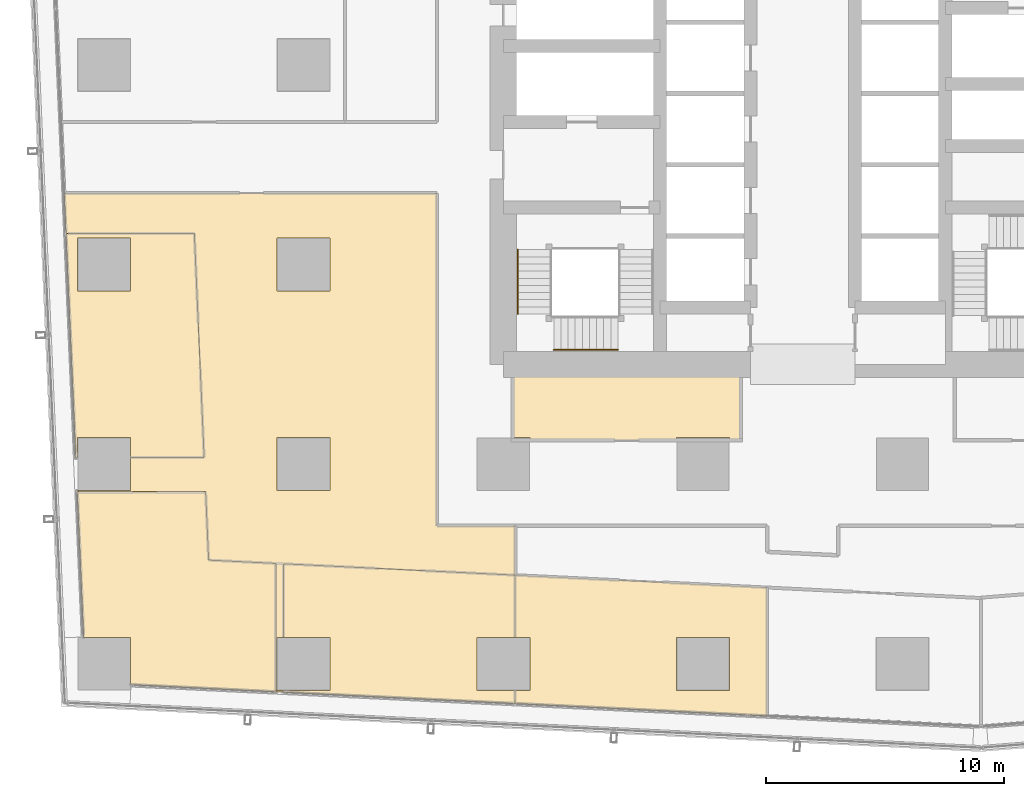
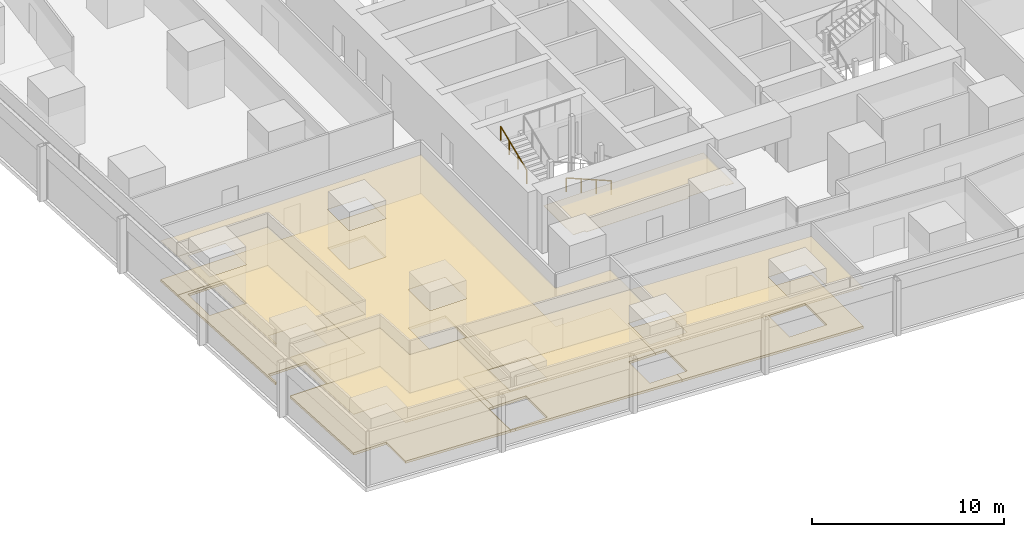
# One storey, part 36 of 44: 11 coverings, 2 railings.
"""IFC4 building model written with IfcOpenShell, lengths in metres."""

from ifc_helpers import new_model, si_unit, direction, frame, origin, origin_2d, place, context, subcontext, project, spatial, polyline, circle, outline, extrude, material, layer, layer_set, type_object, element, save


model = new_model("IFC4")

# Units and contexts
model_context = context("Model", 3, precision=1e-05, world=origin(), true_north=direction((0.0, 1.0)))
body_context = subcontext(model_context, "Body", "Model", "MODEL_VIEW")
ifc_project = project(units=[si_unit("LENGTHUNIT", "METRE"), si_unit("AREAUNIT", "SQUARE_METRE"), si_unit("VOLUMEUNIT", "CUBIC_METRE"), si_unit("PLANEANGLEUNIT", "RADIAN"), si_unit("MASSUNIT", "GRAM", prefix="KILO")], contexts=[model_context])

# Site, building, storey
site_placement = place(None, origin())
site = spatial("IfcSite", under=ifc_project, at=site_placement, CompositionType="ELEMENT")
building_placement = place(site_placement, origin())
building = spatial("IfcBuilding", under=site, at=building_placement, Name="Rekha Terrace Tower", CompositionType="ELEMENT")
storey_placement = place(building_placement, frame((0.0, 0.0, 66.64990234375)))
storey = spatial("IfcBuildingStorey", under=building, at=storey_placement, Name="L16", CompositionType="ELEMENT", Elevation=66.64990234375)

# Coverings
ifc_material_1 = material(Name="Mineral fibre tile in exposed grid", Category="finish")
ifc_layer_1 = layer(ifc_material_1, 0.02001953125)
ifc_layer_set_1 = layer_set([ifc_layer_1], Name="Mineral fibre tile in exposed grid")
covering_type_1 = type_object("IfcCoveringType", Name="CL1 600x1200 office grid ceiling", PredefinedType="CEILING", material=ifc_layer_set_1)
covering_1_placement = place(storey_placement, frame((0.0, 0.0, 2.580078125)))
element("IfcCovering", 1, at=covering_1_placement, inside=storey, type_object=covering_type_1, Name="Ceiling L16-06", PredefinedType="CEILING", context=body_context, shape_type="SweptSolid", body=[
    extrude(outline(polyline([(36.298095703125, 6.202880859375), (36.298095703125, 11.60888671875), (25.697021484375, 12.1298828125), (25.697021484375, 9.514892578125), (26.31494140625, 9.514892578125), (26.31494140625, 7.284912109375), (25.697021484375, 7.284912109375), (25.697021484375, 6.722900390625), (36.298095703125, 6.202880859375)]), holes=[polyline([(34.715087890625, 7.284912109375), (32.485107421875, 7.284912109375), (32.485107421875, 9.514892578125), (34.715087890625, 9.514892578125), (34.715087890625, 7.284912109375)])]), origin(), (0.0, 0.0, 1.0), 0.02001953125),
])
covering_2_placement = place(storey_placement, frame((0.0, 0.0, 2.580078125)))
element("IfcCovering", 2, at=covering_2_placement, inside=storey, type_object=covering_type_1, Name="Ceiling L16-20", PredefinedType="CEILING", context=body_context, shape_type="SweptSolid", body=[
    extrude(outline(polyline([(9.514892578125, 17.080078125), (12.60791015625, 17.080078125), (12.196044921875, 26.511962890625), (6.791015625, 26.511962890625), (7.202880859375, 17.080078125), (7.284912109375, 17.080078125), (7.284912109375, 17.9150390625), (9.514892578125, 17.9150390625), (9.514892578125, 17.080078125)]), holes=[polyline([(9.514892578125, 24.0849609375), (7.284912109375, 24.0849609375), (7.284912109375, 26.31494140625), (9.514892578125, 26.31494140625), (9.514892578125, 24.0849609375)])]), origin(), (0.0, 0.0, 1.0), 0.02001953125),
])
covering_3_placement = place(storey_placement, frame((0.0, 0.0, 2.580078125)))
element("IfcCovering", 3, at=covering_3_placement, inside=storey, type_object=covering_type_1, Name="Ceiling L16-21", PredefinedType="CEILING", context=body_context, shape_type="SweptSolid", body=[
    extrude(outline(polyline([(12.797119140625, 12.762939453125), (12.6708984375, 15.64306640625), (7.26611328125, 15.64306640625), (7.533935546875, 9.514892578125), (9.514892578125, 9.514892578125), (9.514892578125, 7.51806640625), (15.64208984375, 7.217041015625), (15.64208984375, 12.623046875), (12.797119140625, 12.762939453125)])), origin(), (0.0, 0.0, 1.0), 0.02001953125),
])
covering_4_placement = place(storey_placement, frame((0.0, 0.0, 2.580078125)))
element("IfcCovering", 4, at=covering_4_placement, inside=storey, type_object=covering_type_1, Name="Ceiling L16-22", PredefinedType="CEILING", context=body_context, shape_type="SweptSolid", body=[
    extrude(outline(polyline([(25.696044921875, 9.514892578125), (25.696044921875, 12.1298828125), (15.94091796875, 12.60888671875), (15.94091796875, 9.514892578125), (17.9150390625, 9.514892578125), (17.9150390625, 7.284912109375), (15.94091796875, 7.284912109375), (15.94091796875, 7.201904296875), (25.696044921875, 6.722900390625), (25.696044921875, 7.284912109375), (24.0849609375, 7.284912109375), (24.0849609375, 9.514892578125), (25.696044921875, 9.514892578125)])), origin(), (0.0, 0.0, 1.0), 0.02001953125),
])
covering_5_placement = place(storey_placement, frame((0.0, 0.0, 2.580078125)))
element("IfcCovering", 5, at=covering_5_placement, inside=storey, type_object=covering_type_1, Name="Ceiling L16-O4", PredefinedType="CEILING", context=body_context, shape_type="SweptSolid", body=[
    extrude(outline(polyline([(9.514892578125, 15.68505859375), (7.263916015625, 15.68505859375), (7.26611328125, 15.64306640625), (12.6708984375, 15.64306640625), (12.797119140625, 12.762939453125), (15.64208984375, 12.623046875), (15.64208984375, 7.217041015625), (15.94091796875, 7.201904296875), (15.94091796875, 7.284912109375), (15.68505859375, 7.284912109375), (15.68505859375, 9.514892578125), (15.94091796875, 9.514892578125), (15.94091796875, 12.60888671875), (25.696044921875, 12.1298828125), (25.696044921875, 14.199951171875), (22.39990234375, 14.199951171875), (22.39990234375, 28.199951171875), (6.717041015625, 28.199951171875), (6.791015625, 26.511962890625), (12.196044921875, 26.511962890625), (12.60791015625, 17.080078125), (9.514892578125, 17.080078125), (9.514892578125, 15.68505859375)]), holes=[polyline([(17.9150390625, 15.68505859375), (15.68505859375, 15.68505859375), (15.68505859375, 17.9150390625), (17.9150390625, 17.9150390625), (17.9150390625, 15.68505859375)]), polyline([(17.9150390625, 24.0849609375), (15.68505859375, 24.0849609375), (15.68505859375, 26.31494140625), (17.9150390625, 26.31494140625), (17.9150390625, 24.0849609375)])]), origin(), (0.0, 0.0, 1.0), 0.02001953125),
])
ifc_material_2 = material(Name="Fibre cement board", Category="finish")
ifc_layer_2 = layer(ifc_material_2, 0.014892578125)
ifc_layer_set_2 = layer_set([ifc_layer_2], Name="Fibre cement board")
covering_type_2 = type_object("IfcCoveringType", Name="CL2 moisture-resistant board ceiling", PredefinedType="CEILING", material=ifc_layer_set_2)
covering_6_placement = place(storey_placement, frame((0.0, 0.0, 2.585205078125)))
element("IfcCovering", 6, at=covering_6_placement, inside=storey, type_object=covering_type_2, Name="Ceiling L16-WCM", PredefinedType="CEILING", context=body_context, shape_type="SweptSolid", body=[
    extrude(outline(polyline([(35.199951171875, 21.0), (25.60009765625, 21.0), (25.60009765625, 17.9150390625), (26.31494140625, 17.9150390625), (26.31494140625, 17.800048828125), (32.485107421875, 17.800048828125), (32.485107421875, 17.9150390625), (34.715087890625, 17.9150390625), (34.715087890625, 17.800048828125), (35.199951171875, 17.800048828125), (35.199951171875, 21.0)])), origin(), (0.0, 0.0, 1.0), 0.014892578125),
])

# Railings
ifc_material_3 = material(Name="Stainless steel tube", Category="steel")
railing_type = type_object("IfcRailingType", Name="HR1 900 stair handrail", PredefinedType="HANDRAIL", material=ifc_material_3)
railing_1_placement = place(storey_placement, frame((30.02490234375, 21.610107421875, 1.375)))
element("IfcRailing", 7, at=railing_1_placement, inside=storey, type_object=railing_type, Name="Handrail ST1 L16 flight 2", PredefinedType="HANDRAIL", context=body_context, shape_type="SweptSolid", body=[
    extrude(circle(Radius=0.02392578125, at=origin_2d()), frame((0.0, 0.0, 0.8759765625), z_axis=(-0.923074453586, 0.0, 0.384621311341), x_axis=(0.0, -1.0, 0.0)), (0.0, 0.0, 1.0), 2.925048828125),
    extrude(circle(Radius=0.02099609375, at=origin_2d()), origin(), (0.0, 0.0, 1.0), 0.851806640625),
    extrude(circle(Radius=0.02099609375, at=origin_2d()), frame((-0.89990234375, 0.0, 0.375)), (0.0, 0.0, 1.0), 0.851806640625),
    extrude(circle(Radius=0.02099609375, at=origin_2d()), frame((-1.800048828125, 0.0, 0.75)), (0.0, 0.0, 1.0), 0.851806640625),
    extrude(circle(Radius=0.02099609375, at=origin_2d()), frame((-2.699951171875, 0.0, 1.125)), (0.0, 0.0, 1.0), 0.851806640625),
])
railing_2_placement = place(storey_placement, frame((25.81005859375, 23.125, 2.625)))
element("IfcRailing", 8, at=railing_2_placement, inside=storey, type_object=railing_type, Name="Handrail ST1 L16 flight 3", PredefinedType="HANDRAIL", context=body_context, shape_type="SweptSolid", body=[
    extrude(circle(Radius=0.02392578125, at=origin_2d()), frame((0.0, 0.0, 0.8759765625), z_axis=(0.0, 0.923074453586, 0.384621311341), x_axis=(-1.0, 0.0, 0.0)), (0.0, 0.0, 1.0), 2.925048828125),
    extrude(circle(Radius=0.02099609375, at=origin_2d()), origin(), (0.0, 0.0, 1.0), 0.851806640625),
    extrude(circle(Radius=0.02099609375, at=origin_2d()), frame((0.0, 0.89990234375, 0.375)), (0.0, 0.0, 1.0), 0.851806640625),
    extrude(circle(Radius=0.02099609375, at=origin_2d()), frame((0.0, 1.800048828125, 0.75)), (0.0, 0.0, 1.0), 0.851806640625),
    extrude(circle(Radius=0.02099609375, at=origin_2d()), frame((0.0, 2.699951171875, 1.125)), (0.0, 0.0, 1.0), 0.851806640625),
])

# Coverings
ifc_material_4 = material(Name="Calcium sulphate panels on steel pedestals", Category="steel")
ifc_layer_3 = layer(ifc_material_4, 0.14990234375)
ifc_layer_set_3 = layer_set([ifc_layer_3], Name="Calcium sulphate panels on steel pedestals")
covering_type_3 = type_object("IfcCoveringType", Name="RF1 150 raised access floor", PredefinedType="FLOORING", material=ifc_layer_set_3)
covering_7_placement = place(storey_placement, origin())
element("IfcCovering", 9, at=covering_7_placement, inside=storey, type_object=covering_type_3, Name="Raised floor L16-06", PredefinedType="FLOORING", context=body_context, shape_type="SweptSolid", body=[
    extrude(outline(polyline([(36.298095703125, 6.202880859375), (36.298095703125, 11.60888671875), (25.697021484375, 12.1298828125), (25.697021484375, 9.514892578125), (26.31494140625, 9.514892578125), (26.31494140625, 7.284912109375), (25.697021484375, 7.284912109375), (25.697021484375, 6.722900390625), (36.298095703125, 6.202880859375)]), holes=[polyline([(34.715087890625, 7.284912109375), (32.485107421875, 7.284912109375), (32.485107421875, 9.514892578125), (34.715087890625, 9.514892578125), (34.715087890625, 7.284912109375)])]), origin(), (0.0, 0.0, 1.0), 0.150146484375),
])
covering_8_placement = place(storey_placement, origin())
element("IfcCovering", 10, at=covering_8_placement, inside=storey, type_object=covering_type_3, Name="Raised floor L16-20", PredefinedType="FLOORING", context=body_context, shape_type="SweptSolid", body=[
    extrude(outline(polyline([(9.514892578125, 17.080078125), (12.60791015625, 17.080078125), (12.196044921875, 26.511962890625), (6.791015625, 26.511962890625), (7.202880859375, 17.080078125), (7.284912109375, 17.080078125), (7.284912109375, 17.9150390625), (9.514892578125, 17.9150390625), (9.514892578125, 17.080078125)]), holes=[polyline([(9.514892578125, 24.0849609375), (7.284912109375, 24.0849609375), (7.284912109375, 26.31494140625), (9.514892578125, 26.31494140625), (9.514892578125, 24.0849609375)])]), origin(), (0.0, 0.0, 1.0), 0.150146484375),
])
covering_9_placement = place(storey_placement, origin())
element("IfcCovering", 11, at=covering_9_placement, inside=storey, type_object=covering_type_3, Name="Raised floor L16-21", PredefinedType="FLOORING", context=body_context, shape_type="SweptSolid", body=[
    extrude(outline(polyline([(12.797119140625, 12.762939453125), (12.6708984375, 15.64306640625), (7.26611328125, 15.64306640625), (7.533935546875, 9.514892578125), (9.514892578125, 9.514892578125), (9.514892578125, 7.51806640625), (15.64208984375, 7.217041015625), (15.64208984375, 12.623046875), (12.797119140625, 12.762939453125)])), origin(), (0.0, 0.0, 1.0), 0.150146484375),
])
covering_10_placement = place(storey_placement, origin())
element("IfcCovering", 12, at=covering_10_placement, inside=storey, type_object=covering_type_3, Name="Raised floor L16-22", PredefinedType="FLOORING", context=body_context, shape_type="SweptSolid", body=[
    extrude(outline(polyline([(25.696044921875, 9.514892578125), (25.696044921875, 12.1298828125), (15.94091796875, 12.60888671875), (15.94091796875, 9.514892578125), (17.9150390625, 9.514892578125), (17.9150390625, 7.284912109375), (15.94091796875, 7.284912109375), (15.94091796875, 7.201904296875), (25.696044921875, 6.722900390625), (25.696044921875, 7.284912109375), (24.0849609375, 7.284912109375), (24.0849609375, 9.514892578125), (25.696044921875, 9.514892578125)])), origin(), (0.0, 0.0, 1.0), 0.150146484375),
])
covering_11_placement = place(storey_placement, origin())
element("IfcCovering", 13, at=covering_11_placement, inside=storey, type_object=covering_type_3, Name="Raised floor L16-O4", PredefinedType="FLOORING", context=body_context, shape_type="SweptSolid", body=[
    extrude(outline(polyline([(9.514892578125, 15.68505859375), (7.263916015625, 15.68505859375), (7.26611328125, 15.64306640625), (12.6708984375, 15.64306640625), (12.797119140625, 12.762939453125), (15.64208984375, 12.623046875), (15.64208984375, 7.217041015625), (15.94091796875, 7.201904296875), (15.94091796875, 7.284912109375), (15.68505859375, 7.284912109375), (15.68505859375, 9.514892578125), (15.94091796875, 9.514892578125), (15.94091796875, 12.60888671875), (25.696044921875, 12.1298828125), (25.696044921875, 14.199951171875), (22.39990234375, 14.199951171875), (22.39990234375, 28.199951171875), (6.717041015625, 28.199951171875), (6.791015625, 26.511962890625), (12.196044921875, 26.511962890625), (12.60791015625, 17.080078125), (9.514892578125, 17.080078125), (9.514892578125, 15.68505859375)]), holes=[polyline([(17.9150390625, 15.68505859375), (15.68505859375, 15.68505859375), (15.68505859375, 17.9150390625), (17.9150390625, 17.9150390625), (17.9150390625, 15.68505859375)]), polyline([(17.9150390625, 24.0849609375), (15.68505859375, 24.0849609375), (15.68505859375, 26.31494140625), (17.9150390625, 26.31494140625), (17.9150390625, 24.0849609375)])]), origin(), (0.0, 0.0, 1.0), 0.150146484375),
])

save(model, "model.ifc")
